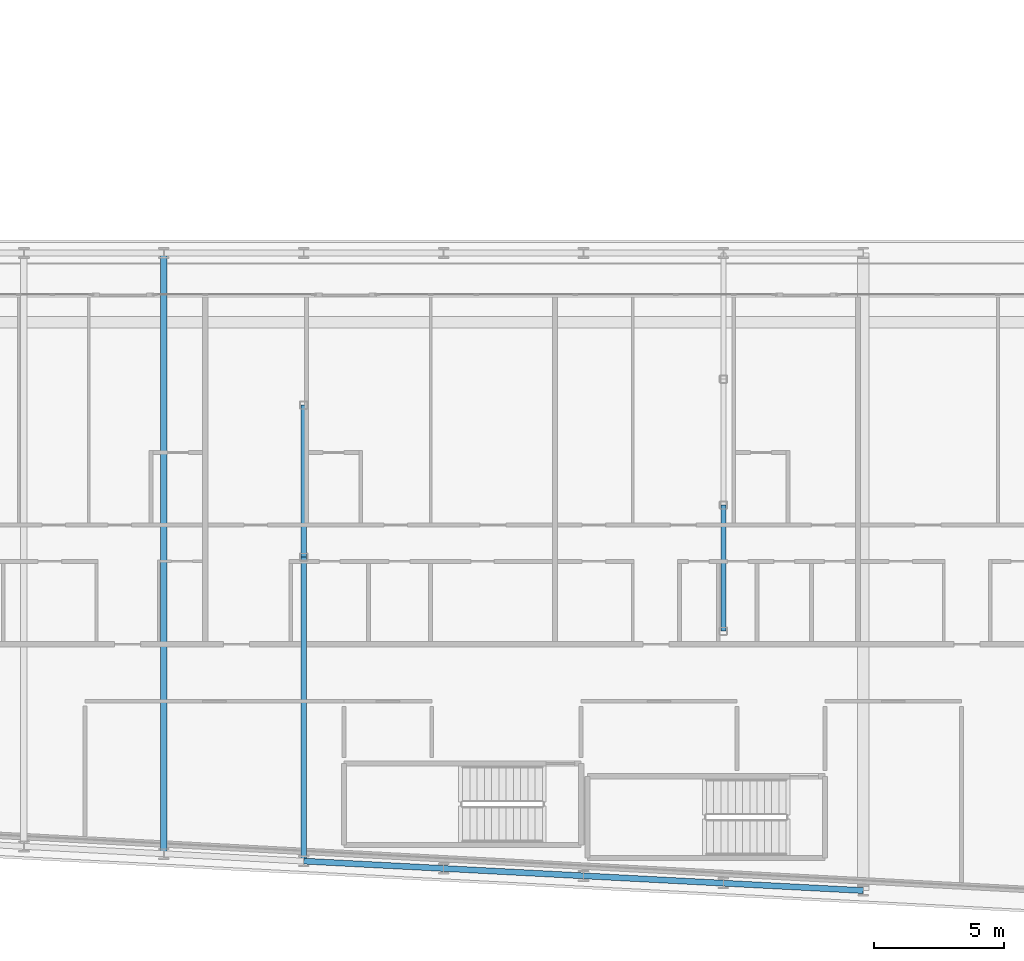
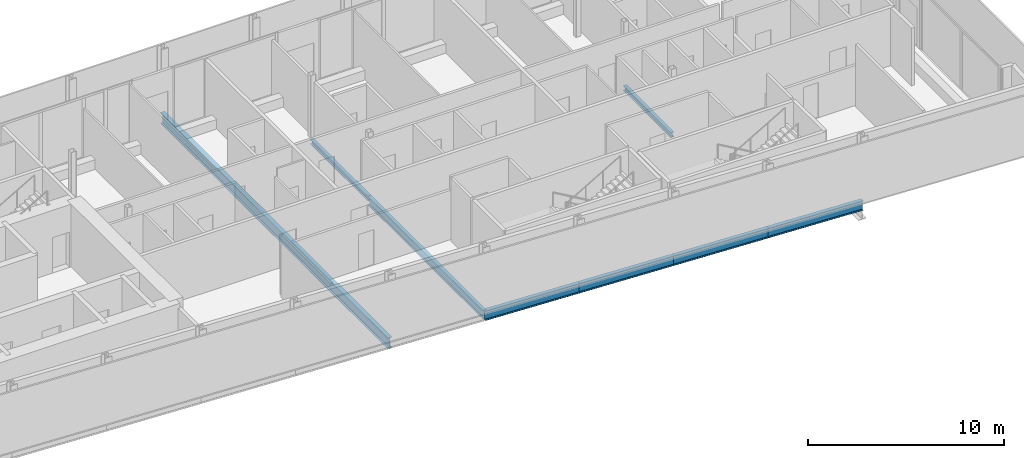
# One storey, part 7 of 29: 8 beams.
"""IFC4 building model written with IfcOpenShell, lengths in metres."""

from ifc_helpers import new_model, si_unit, direction, frame, origin, origin_2d, place, context, subcontext, project, spatial, i_section, extrude, material, material_profile, profile_set, type_object, element, save


model = new_model("IFC4")

# Units and contexts
model_context = context("Model", 3, precision=1e-05, world=origin(), true_north=direction((0.0, 1.0)))
body_context = subcontext(model_context, "Body", "Model", "MODEL_VIEW")
ifc_project = project(units=[si_unit("LENGTHUNIT", "METRE"), si_unit("AREAUNIT", "SQUARE_METRE"), si_unit("VOLUMEUNIT", "CUBIC_METRE"), si_unit("PLANEANGLEUNIT", "RADIAN"), si_unit("MASSUNIT", "GRAM", prefix="KILO")], contexts=[model_context])

# Site, building, storey
site_placement = place(None, origin())
site = spatial("IfcSite", under=ifc_project, at=site_placement, CompositionType="ELEMENT")
building_placement = place(site_placement, origin())
building = spatial("IfcBuilding", under=site, at=building_placement, Name="Kheshtan School and Residences Tower", CompositionType="ELEMENT")
storey_placement = place(building_placement, frame((0.0, 0.0, 183.800048828125)))
storey = spatial("IfcBuildingStorey", under=building, at=storey_placement, Name="L43", CompositionType="ELEMENT", Elevation=183.800048828125)

# Beams
ifc_material = material(Name="Steel ASTM A992 Grade 50", Category="steel")
ifc_material_profile_1 = material_profile(ifc_material, i_section(OverallWidth=0.202880859375, OverallDepth=0.302978515625, WebThickness=0.007568359375, FlangeThickness=0.01318359375, FilletRadius=0.009033203125, at=origin_2d()), Name="W310x60")
ifc_profile_set_1 = profile_set([ifc_material_profile_1], Name="Steel ASTM A992 Grade 50")
beam_type_1 = type_object("IfcBeamType", Name="Beam FB1 W310x60 ASTM A992 Grade 50", PredefinedType="BEAM", material=ifc_profile_set_1)
beam_1_placement = place(storey_placement, frame((85.39990234375, 31.0048828125, -0.301513671875), z_axis=(0.0, 1.0, 0.0), x_axis=(-1.0, 0.0, 0.0)))
element("IfcBeam", 1, at=beam_1_placement, inside=storey, type_object=beam_type_1, Name="Floor beam IC", PredefinedType="BEAM", context=body_context, shape_type="SweptSolid", body=[
    extrude(i_section(OverallWidth=0.202880859375, OverallDepth=0.302978515625, WebThickness=0.007568359375, FlangeThickness=0.01318359375, FilletRadius=0.009033203125, at=origin_2d()), origin(), (0.0, 0.0, 1.0), 4.865234375),
])
beam_2_placement = place(storey_placement, frame((69.199951171875, 33.863037109375, -0.301513671875), z_axis=(0.0, 1.0, 0.0), x_axis=(-1.0, 0.0, 0.0)))
element("IfcBeam", 2, at=beam_2_placement, inside=storey, type_object=beam_type_1, Name="Floor beam IC", PredefinedType="BEAM", context=body_context, shape_type="SweptSolid", body=[
    extrude(i_section(OverallWidth=0.202880859375, OverallDepth=0.302978515625, WebThickness=0.007568359375, FlangeThickness=0.01318359375, FilletRadius=0.009033203125, at=origin_2d()), origin(), (0.0, 0.0, 1.0), 5.868896484375),
])
ifc_material_profile_2 = material_profile(ifc_material, i_section(OverallWidth=0.208984375, OverallDepth=0.532958984375, WebThickness=0.01025390625, FlangeThickness=0.015625, FilletRadius=0.013916015625, at=origin_2d()), Name="W530x92")
ifc_profile_set_2 = profile_set([ifc_material_profile_2], Name="Steel ASTM A992 Grade 50")
beam_type_2 = type_object("IfcBeamType", Name="Beam FB4 W530x92 ASTM A992 Grade 50", PredefinedType="BEAM", material=ifc_profile_set_2)
beam_3_placement = place(storey_placement, frame((69.199951171875, 22.126953125, -0.41650390625), z_axis=(0.0, 1.0, 0.0), x_axis=(-1.0, 0.0, 0.0)))
element("IfcBeam", 3, at=beam_3_placement, inside=storey, type_object=beam_type_2, Name="Floor beam C014", PredefinedType="BEAM", context=body_context, shape_type="SweptSolid", body=[
    extrude(i_section(OverallWidth=0.208984375, OverallDepth=0.532958984375, WebThickness=0.01025390625, FlangeThickness=0.015625, FilletRadius=0.013916015625, at=origin_2d()), origin(), (0.0, 0.0, 1.0), 11.736083984375),
])
ifc_material_profile_3 = material_profile(ifc_material, i_section(OverallWidth=0.2529296875, OverallDepth=0.677978515625, WebThickness=0.01171875, FlangeThickness=0.016357421875, FilletRadius=0.0146484375, at=origin_2d()), Name="W690x125")
ifc_profile_set_3 = profile_set([ifc_material_profile_3], Name="Steel ASTM A992 Grade 50")
beam_type_3 = type_object("IfcBeamType", Name="Beam FB6 W690x125 ASTM A992 Grade 50", PredefinedType="BEAM", material=ifc_profile_set_3)
beam_4_placement = place(storey_placement, frame((63.800048828125, 45.60009765625, -0.489013671875), z_axis=(0.0, -1.0, 0.0), x_axis=(1.0, 0.0, 0.0)))
element("IfcBeam", 4, at=beam_4_placement, inside=storey, type_object=beam_type_3, Name="Floor beam C063", PredefinedType="BEAM", context=body_context, shape_type="SweptSolid", body=[
    extrude(i_section(OverallWidth=0.2529296875, OverallDepth=0.677978515625, WebThickness=0.01171875, FlangeThickness=0.016357421875, FilletRadius=0.0146484375, at=origin_2d()), origin(), (0.0, 0.0, 1.0), 23.189208984375),
])
ifc_material_profile_4 = material_profile(ifc_material, i_section(OverallWidth=0.22802734375, OverallDepth=0.60302734375, WebThickness=0.010498046875, FlangeThickness=0.014892578125, FilletRadius=0.013427734375, at=origin_2d()), Name="W610x101")
ifc_profile_set_4 = profile_set([ifc_material_profile_4], Name="Steel ASTM A992 Grade 50")
beam_type_4 = type_object("IfcBeamType", Name="Beam SP2 W610x101 ASTM A992 Grade 50", PredefinedType="BEAM", material=ifc_profile_set_4)
beam_5_placement = place(storey_placement, frame((90.800048828125, 20.989990234375, -0.45166015625), z_axis=(-0.998620571751, 0.05250670125, 0.0), x_axis=(-0.05250670125, -0.998620571751, 0.0)))
element("IfcBeam", 5, at=beam_5_placement, inside=storey, type_object=beam_type_4, Name="Spandrel beam C006-C008", PredefinedType="BEAM", context=body_context, shape_type="SweptSolid", body=[
    extrude(i_section(OverallWidth=0.22802734375, OverallDepth=0.60302734375, WebThickness=0.010498046875, FlangeThickness=0.014892578125, FilletRadius=0.013427734375, at=origin_2d()), origin(), (0.0, 0.0, 1.0), 5.40771484375),
])
for number, where, z_axis, x_axis, name in (
    (6, (85.39990234375, 21.27392578125, -0.45166015625), (-0.998618078766, 0.052554093665, 0.0), (-0.052554093665, -0.998618078766, 0.0), "Spandrel beam C008-C012"),
    (7, (80.0, 21.55810546875, -0.45166015625), (-0.998610961136, 0.052689166816, 0.0), (-0.052689166816, -0.998610961136, 0.0), "Spandrel beam C012-C013"),
):
    element("IfcBeam", number, at=place(storey_placement, frame(where, z_axis=z_axis, x_axis=x_axis)), inside=storey, type_object=beam_type_4, Name=name, PredefinedType="BEAM", context=body_context, shape_type="SweptSolid", body=[
        extrude(i_section(OverallWidth=0.22802734375, OverallDepth=0.60302734375, WebThickness=0.010498046875, FlangeThickness=0.014892578125, FilletRadius=0.013427734375, at=origin_2d()), origin(), (0.0, 0.0, 1.0), 5.407470703125),
    ])
beam_6_placement = place(storey_placement, frame((74.60009765625, 21.843017578125, -0.45166015625), z_axis=(-0.998620571751, 0.05250670125, 0.0), x_axis=(-0.05250670125, -0.998620571751, 0.0)))
element("IfcBeam", 8, at=beam_6_placement, inside=storey, type_object=beam_type_4, Name="Spandrel beam C013-C014", PredefinedType="BEAM", context=body_context, shape_type="SweptSolid", body=[
    extrude(i_section(OverallWidth=0.22802734375, OverallDepth=0.60302734375, WebThickness=0.010498046875, FlangeThickness=0.014892578125, FilletRadius=0.013427734375, at=origin_2d()), origin(), (0.0, 0.0, 1.0), 5.40771484375),
])

save(model, "model.ifc")
